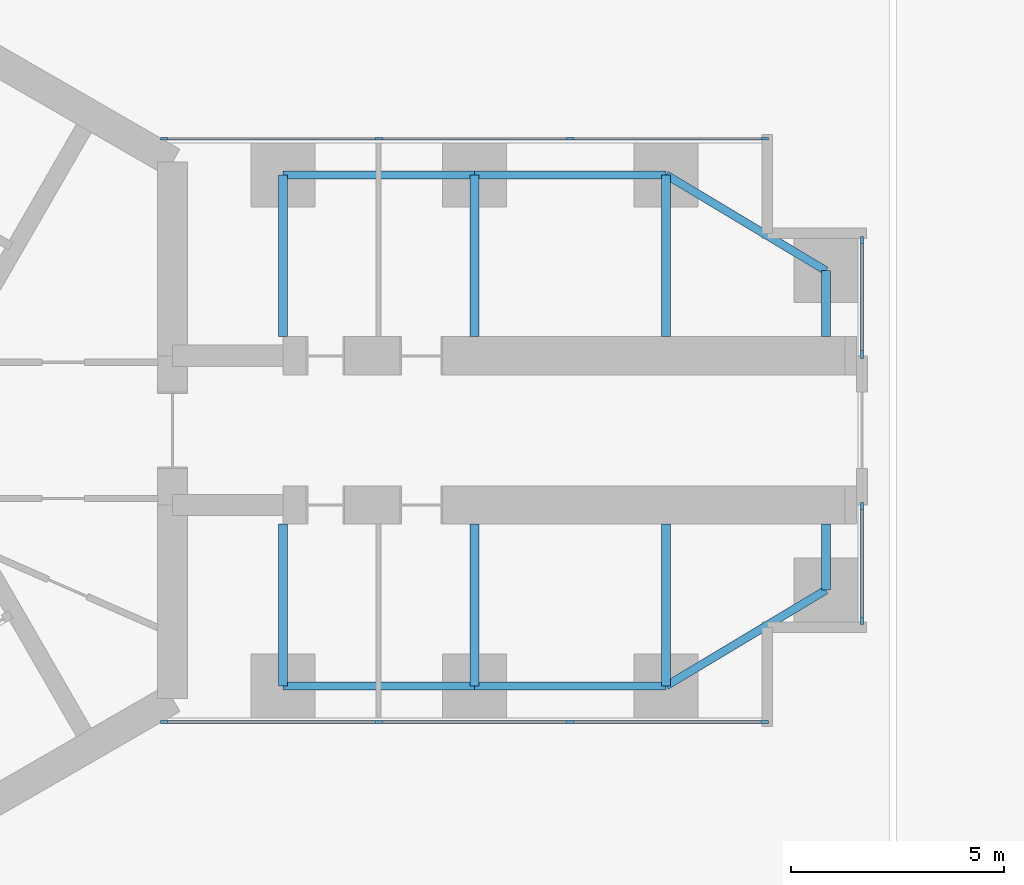
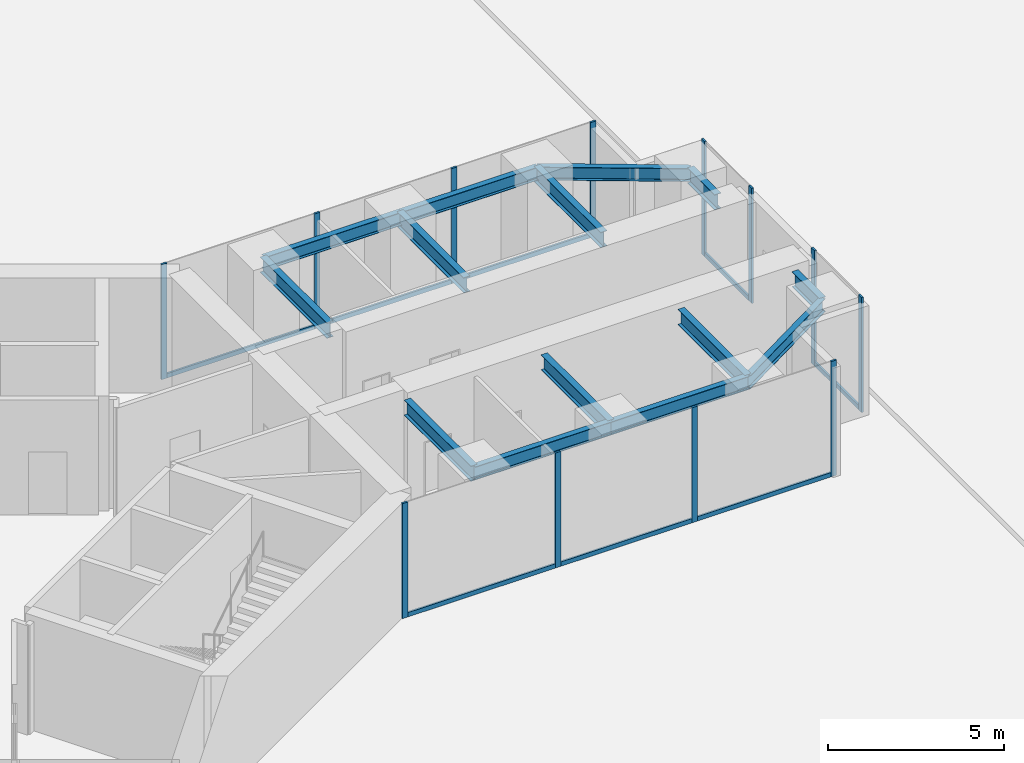
# One storey, part 5 of 23: 20 members, 14 beams, 4 elements without a shape of their own.
"""IFC4 building model written with IfcOpenShell, lengths in metres."""

from ifc_helpers import new_model, si_unit, direction, frame, origin, origin_2d, place, context, subcontext, project, spatial, rectangle, i_section, extrude, material, material_profile, profile_set, type_object, element, aggregate, save


model = new_model("IFC4")

# Units and contexts
model_context = context("Model", 3, precision=1e-05, world=origin(), true_north=direction((0.0, 1.0)))
body_context = subcontext(model_context, "Body", "Model", "MODEL_VIEW")
ifc_project = project(units=[si_unit("LENGTHUNIT", "METRE"), si_unit("AREAUNIT", "SQUARE_METRE"), si_unit("VOLUMEUNIT", "CUBIC_METRE"), si_unit("PLANEANGLEUNIT", "RADIAN"), si_unit("MASSUNIT", "GRAM", prefix="KILO")], contexts=[model_context])

# Site, building, storey
site_placement = place(None, origin())
site = spatial("IfcSite", under=ifc_project, at=site_placement, CompositionType="ELEMENT")
building_placement = place(site_placement, origin())
building = spatial("IfcBuilding", under=site, at=building_placement, Name="Upepo Twin Towers", CompositionType="ELEMENT")
storey_placement = place(building_placement, frame((0.0, 0.0, 20.5)))
storey = spatial("IfcBuildingStorey", under=building, at=storey_placement, Name="L04", CompositionType="ELEMENT", Elevation=20.5)

# Beams
ifc_material_1 = material(Name="Steel S355", Category="steel")
ifc_material_profile_1 = material_profile(ifc_material_1, i_section(OverallWidth=0.1904296875, OverallDepth=0.45703125, WebThickness=0.009033203125, FlangeThickness=0.014404296875, FilletRadius=0.01025390625, at=origin_2d()), Name="UB 457x191x74")
ifc_profile_set_1 = profile_set([ifc_material_profile_1], Name="Steel S355")
beam_type_1 = type_object("IfcBeamType", Name="Beam UB 457x191x74", PredefinedType="BEAM", material=ifc_profile_set_1)
for number, where, z_axis, x_axis, name in (
    (1, (13.5, 6.0, 3.571533203125), (1.0, 0.0, 0.0), (0.0, 1.0, 0.0), "T1 edge beam AL 13.5-18.0"),
    (2, (18.0, 6.0, 3.571533203125), (1.0, 0.0, 0.0), (0.0, 1.0, 0.0), "T1 edge beam AL 18.0-22.5"),
):
    element("IfcBeam", number, at=place(storey_placement, frame(where, z_axis=z_axis, x_axis=x_axis)), inside=storey, type_object=beam_type_1, Name=name, PredefinedType="BEAM", context=body_context, shape_type="SweptSolid", body=[
        extrude(i_section(OverallWidth=0.1904296875, OverallDepth=0.45703125, WebThickness=0.009033203125, FlangeThickness=0.014404296875, FilletRadius=0.01025390625, at=origin_2d()), origin(), (0.0, 0.0, 1.0), 4.5),
    ])
beam_1_placement = place(storey_placement, frame((22.5, 6.0, 3.571533203125), z_axis=(0.857492925713, -0.514495755428, 0.0), x_axis=(0.514495755428, 0.857492925713, 0.0)))
element("IfcBeam", 3, at=beam_1_placement, inside=storey, type_object=beam_type_1, Name="T1 nose edge beam AL", PredefinedType="BEAM", context=body_context, shape_type="SweptSolid", body=[
    extrude(i_section(OverallWidth=0.1904296875, OverallDepth=0.45703125, WebThickness=0.009033203125, FlangeThickness=0.014404296875, FilletRadius=0.01025390625, at=origin_2d()), origin(), (0.0, 0.0, 1.0), 4.373291015625),
])
for number, where, z_axis, x_axis, name in (
    (4, (13.5, -6.0, 3.571533203125), (1.0, 0.0, 0.0), (0.0, 1.0, 0.0), "T1 edge beam AR 13.5-18.0"),
    (5, (18.0, -6.0, 3.571533203125), (1.0, 0.0, 0.0), (0.0, 1.0, 0.0), "T1 edge beam AR 18.0-22.5"),
):
    element("IfcBeam", number, at=place(storey_placement, frame(where, z_axis=z_axis, x_axis=x_axis)), inside=storey, type_object=beam_type_1, Name=name, PredefinedType="BEAM", context=body_context, shape_type="SweptSolid", body=[
        extrude(i_section(OverallWidth=0.1904296875, OverallDepth=0.45703125, WebThickness=0.009033203125, FlangeThickness=0.014404296875, FilletRadius=0.01025390625, at=origin_2d()), origin(), (0.0, 0.0, 1.0), 4.5),
    ])
beam_2_placement = place(storey_placement, frame((22.5, -6.0, 3.571533203125), z_axis=(0.857492925713, 0.514495755428, 0.0), x_axis=(-0.514495755428, 0.857492925713, 0.0)))
element("IfcBeam", 6, at=beam_2_placement, inside=storey, type_object=beam_type_1, Name="T1 nose edge beam AR", PredefinedType="BEAM", context=body_context, shape_type="SweptSolid", body=[
    extrude(i_section(OverallWidth=0.1904296875, OverallDepth=0.45703125, WebThickness=0.009033203125, FlangeThickness=0.014404296875, FilletRadius=0.01025390625, at=origin_2d()), origin(), (0.0, 0.0, 1.0), 4.373291015625),
])
ifc_material_2 = material(Name="Steel S355", Category="steel")
ifc_material_profile_2 = material_profile(ifc_material_2, i_section(OverallWidth=0.2099609375, OverallDepth=0.53662109375, WebThickness=0.0107421875, FlangeThickness=0.017333984375, FilletRadius=0.0126953125, at=origin_2d()), Name="UB 533x210x101")
ifc_profile_set_2 = profile_set([ifc_material_profile_2], Name="Steel S355")
beam_type_2 = type_object("IfcBeamType", Name="Beam UB 533x210x101", PredefinedType="BEAM", material=ifc_profile_set_2)
for number, where, z_axis, x_axis, name in (
    (7, (26.25, 3.75, 3.53173828125), (0.0, -1.0, 0.0), (1.0, 0.0, 0.0), "T1 nose beam AL"),
    (8, (26.25, -3.75, 3.53173828125), (0.0, 1.0, 0.0), (-1.0, 0.0, 0.0), "T1 nose beam AR"),
):
    element("IfcBeam", number, at=place(storey_placement, frame(where, z_axis=z_axis, x_axis=x_axis)), inside=storey, type_object=beam_type_2, Name=name, PredefinedType="BEAM", context=body_context, shape_type="SweptSolid", body=[
        extrude(i_section(OverallWidth=0.2099609375, OverallDepth=0.53662109375, WebThickness=0.0107421875, FlangeThickness=0.017333984375, FilletRadius=0.0126953125, at=origin_2d()), origin(), (0.0, 0.0, 1.0), 1.550048828125),
    ])
ifc_material_3 = material(Name="Steel S355", Category="steel")
ifc_material_profile_3 = material_profile(ifc_material_3, i_section(OverallWidth=0.209228515625, OverallDepth=0.533203125, WebThickness=0.010009765625, FlangeThickness=0.015625, FilletRadius=0.0126953125, at=origin_2d()), Name="UB 533x210x92")
ifc_profile_set_3 = profile_set([ifc_material_profile_3], Name="Steel S355")
beam_type_3 = type_object("IfcBeamType", Name="Beam UB 533x210x92", PredefinedType="BEAM", material=ifc_profile_set_3)
for number, where, z_axis, x_axis, name in (
    (9, (13.5, 6.0, 3.533447265625), (0.0, -1.0, 0.0), (1.0, 0.0, 0.0), "T1 girder AL at 13.5"),
    (10, (18.0, 6.0, 3.533447265625), (0.0, -1.0, 0.0), (1.0, 0.0, 0.0), "T1 girder AL at 18.0"),
    (11, (22.5, 6.0, 3.533447265625), (0.0, -1.0, 0.0), (1.0, 0.0, 0.0), "T1 girder AL at 22.5"),
    (12, (13.5, -6.0, 3.533447265625), (0.0, 1.0, 0.0), (-1.0, 0.0, 0.0), "T1 girder AR at 13.5"),
    (13, (18.0, -6.0, 3.533447265625), (0.0, 1.0, 0.0), (-1.0, 0.0, 0.0), "T1 girder AR at 18.0"),
    (14, (22.5, -6.0, 3.533447265625), (0.0, 1.0, 0.0), (-1.0, 0.0, 0.0), "T1 girder AR at 22.5"),
):
    element("IfcBeam", number, at=place(storey_placement, frame(where, z_axis=z_axis, x_axis=x_axis)), inside=storey, type_object=beam_type_3, Name=name, PredefinedType="BEAM", context=body_context, shape_type="SweptSolid", body=[
        extrude(i_section(OverallWidth=0.209228515625, OverallDepth=0.533203125, WebThickness=0.010009765625, FlangeThickness=0.015625, FilletRadius=0.0126953125, at=origin_2d()), origin(), (0.0, 0.0, 1.0), 3.800048828125),
    ])

# Curtain wall, members
ifc_material_4 = material(Name="Aluminium and fritted glass", Category="aluminium")
curtain_wall_type = type_object("IfcCurtainWallType", Name="Tower curtain wall TW1, fritted glass", PredefinedType="NOTDEFINED", material=ifc_material_4)
curtain_wall_1_placement = place(storey_placement, origin())
curtain_wall_1 = element("IfcCurtainWall", 15, at=curtain_wall_1_placement, inside=storey, type_object=curtain_wall_type, Name="T1 L04 wing A flank L curtain wall", PredefinedType="NOTDEFINED")
ifc_material_5 = material(Name="Aluminium mullion", Category="aluminium")
ifc_material_profile_4 = material_profile(ifc_material_5, rectangle(XDim=0.06494140625, YDim=0.179931640625, at=origin_2d()), Name="MULLION 65x180")
ifc_profile_set_4 = profile_set([ifc_material_profile_4], Name="Aluminium mullion")
member_type_1 = type_object("IfcMemberType", Name="Mullion 65x180 TW1", PredefinedType="MULLION", material=ifc_profile_set_4)
member_1_placement = place(storey_placement, frame((10.7197265625, 6.85009765625, 0.0), z_axis=(0.0, 0.0, 1.0), x_axis=(0.0, 1.0, 0.0)))
member_1 = element("IfcMember", 16, at=member_1_placement, type_object=member_type_1, Name="T1 L04 wing A flank L curtain wall mullion 1", PredefinedType="MULLION", context=body_context, shape_type="SweptSolid", body=[
    extrude(rectangle(XDim=0.06494140625, YDim=0.179931640625, at=origin_2d()), origin(), (0.0, 0.0, 1.0), 4.0),
])
member_2_placement = place(storey_placement, frame((15.75, 6.85009765625, 0.0), z_axis=(0.0, 0.0, 1.0), x_axis=(0.0, 1.0, 0.0)))
member_2 = element("IfcMember", 17, at=member_2_placement, type_object=member_type_1, Name="T1 L04 wing A flank L curtain wall mullion 2", PredefinedType="MULLION", context=body_context, shape_type="SweptSolid", body=[
    extrude(rectangle(XDim=0.06494140625, YDim=0.179931640625, at=origin_2d()), origin(), (0.0, 0.0, 1.0), 4.0),
])
member_3_placement = place(storey_placement, frame((20.25, 6.85009765625, 0.0), z_axis=(0.0, 0.0, 1.0), x_axis=(0.0, 1.0, 0.0)))
member_3 = element("IfcMember", 18, at=member_3_placement, type_object=member_type_1, Name="T1 L04 wing A flank L curtain wall mullion 3", PredefinedType="MULLION", context=body_context, shape_type="SweptSolid", body=[
    extrude(rectangle(XDim=0.06494140625, YDim=0.179931640625, at=origin_2d()), origin(), (0.0, 0.0, 1.0), 4.0),
])
member_4_placement = place(storey_placement, frame((24.8173828125, 6.85009765625, 0.0), z_axis=(0.0, 0.0, 1.0), x_axis=(0.0, 1.0, 0.0)))
member_4 = element("IfcMember", 19, at=member_4_placement, type_object=member_type_1, Name="T1 L04 wing A flank L curtain wall mullion 4", PredefinedType="MULLION", context=body_context, shape_type="SweptSolid", body=[
    extrude(rectangle(XDim=0.06494140625, YDim=0.179931640625, at=origin_2d()), origin(), (0.0, 0.0, 1.0), 4.0),
])

curtain_wall_2_placement = place(storey_placement, origin())
curtain_wall_2 = element("IfcCurtainWall", 20, at=curtain_wall_2_placement, inside=storey, type_object=curtain_wall_type, Name="T1 L04 wing A flank R curtain wall", PredefinedType="NOTDEFINED")
member_5_placement = place(storey_placement, frame((24.8173828125, -6.85009765625, 0.0), z_axis=(0.0, 0.0, 1.0), x_axis=(0.0, -1.0, 0.0)))
member_5 = element("IfcMember", 21, at=member_5_placement, type_object=member_type_1, Name="T1 L04 wing A flank R curtain wall mullion 1", PredefinedType="MULLION", context=body_context, shape_type="SweptSolid", body=[
    extrude(rectangle(XDim=0.06494140625, YDim=0.179931640625, at=origin_2d()), origin(), (0.0, 0.0, 1.0), 4.0),
])
member_6_placement = place(storey_placement, frame((20.25, -6.85009765625, 0.0), z_axis=(0.0, 0.0, 1.0), x_axis=(0.0, -1.0, 0.0)))
member_6 = element("IfcMember", 22, at=member_6_placement, type_object=member_type_1, Name="T1 L04 wing A flank R curtain wall mullion 2", PredefinedType="MULLION", context=body_context, shape_type="SweptSolid", body=[
    extrude(rectangle(XDim=0.06494140625, YDim=0.179931640625, at=origin_2d()), origin(), (0.0, 0.0, 1.0), 4.0),
])
member_7_placement = place(storey_placement, frame((15.75, -6.85009765625, 0.0), z_axis=(0.0, 0.0, 1.0), x_axis=(0.0, -1.0, 0.0)))
member_7 = element("IfcMember", 23, at=member_7_placement, type_object=member_type_1, Name="T1 L04 wing A flank R curtain wall mullion 3", PredefinedType="MULLION", context=body_context, shape_type="SweptSolid", body=[
    extrude(rectangle(XDim=0.06494140625, YDim=0.179931640625, at=origin_2d()), origin(), (0.0, 0.0, 1.0), 4.0),
])
member_8_placement = place(storey_placement, frame((10.7197265625, -6.85009765625, 0.0), z_axis=(0.0, 0.0, 1.0), x_axis=(0.0, -1.0, 0.0)))
member_8 = element("IfcMember", 24, at=member_8_placement, type_object=member_type_1, Name="T1 L04 wing A flank R curtain wall mullion 4", PredefinedType="MULLION", context=body_context, shape_type="SweptSolid", body=[
    extrude(rectangle(XDim=0.06494140625, YDim=0.179931640625, at=origin_2d()), origin(), (0.0, 0.0, 1.0), 4.0),
])

curtain_wall_3_placement = place(storey_placement, origin())
curtain_wall_3 = element("IfcCurtainWall", 25, at=curtain_wall_3_placement, inside=storey, type_object=curtain_wall_type, Name="T1 L04 wing A nose curtain wall 0", PredefinedType="NOTDEFINED")
member_9_placement = place(storey_placement, frame((27.10009765625, -4.467529296875, 0.0), z_axis=(0.0, 0.0, 1.0), x_axis=(-1.0, 0.0, 0.0)))
member_9 = element("IfcMember", 26, at=member_9_placement, type_object=member_type_1, Name="T1 L04 wing A nose curtain wall 0 mullion 1", PredefinedType="MULLION", context=body_context, shape_type="SweptSolid", body=[
    extrude(rectangle(XDim=0.06494140625, YDim=0.179931640625, at=origin_2d()), origin(), (0.0, 0.0, 1.0), 4.0),
])
member_10_placement = place(storey_placement, frame((27.10009765625, -1.782470703125, 0.0), z_axis=(0.0, 0.0, 1.0), x_axis=(-1.0, 0.0, 0.0)))
member_10 = element("IfcMember", 27, at=member_10_placement, type_object=member_type_1, Name="T1 L04 wing A nose curtain wall 0 mullion 2", PredefinedType="MULLION", context=body_context, shape_type="SweptSolid", body=[
    extrude(rectangle(XDim=0.06494140625, YDim=0.179931640625, at=origin_2d()), origin(), (0.0, 0.0, 1.0), 4.0),
])

curtain_wall_4_placement = place(storey_placement, origin())
curtain_wall_4 = element("IfcCurtainWall", 28, at=curtain_wall_4_placement, inside=storey, type_object=curtain_wall_type, Name="T1 L04 wing A nose curtain wall 2", PredefinedType="NOTDEFINED")
member_11_placement = place(storey_placement, frame((27.10009765625, 1.782470703125, 0.0), z_axis=(0.0, 0.0, 1.0), x_axis=(-1.0, 0.0, 0.0)))
member_11 = element("IfcMember", 29, at=member_11_placement, type_object=member_type_1, Name="T1 L04 wing A nose curtain wall 2 mullion 1", PredefinedType="MULLION", context=body_context, shape_type="SweptSolid", body=[
    extrude(rectangle(XDim=0.06494140625, YDim=0.179931640625, at=origin_2d()), origin(), (0.0, 0.0, 1.0), 4.0),
])
member_12_placement = place(storey_placement, frame((27.10009765625, 4.467529296875, 0.0), z_axis=(0.0, 0.0, 1.0), x_axis=(-1.0, 0.0, 0.0)))
member_12 = element("IfcMember", 30, at=member_12_placement, type_object=member_type_1, Name="T1 L04 wing A nose curtain wall 2 mullion 2", PredefinedType="MULLION", context=body_context, shape_type="SweptSolid", body=[
    extrude(rectangle(XDim=0.06494140625, YDim=0.179931640625, at=origin_2d()), origin(), (0.0, 0.0, 1.0), 4.0),
])

# Member
ifc_material_6 = material(Name="Aluminium transom", Category="aluminium")
ifc_material_profile_5 = material_profile(ifc_material_6, rectangle(XDim=0.06494140625, YDim=0.14990234375, at=origin_2d()), Name="TRANSOM 65x150")
ifc_profile_set_5 = profile_set([ifc_material_profile_5], Name="Aluminium transom")
member_type_2 = type_object("IfcMemberType", Name="Transom 65x150 TW1", PredefinedType="USERDEFINED", material=ifc_profile_set_5)
member_13_placement = place(storey_placement, frame((10.752197265625, 6.85009765625, 0.074951171875), z_axis=(1.0, 0.0, 0.0), x_axis=(0.0, 1.0, 0.0)))
member_13 = element("IfcMember", 31, at=member_13_placement, type_object=member_type_2, Name="T1 L04 wing A flank L curtain wall transom 1", ObjectType="TRANSOM", PredefinedType="USERDEFINED", context=body_context, shape_type="SweptSolid", body=[
    extrude(rectangle(XDim=0.06494140625, YDim=0.14990234375, at=origin_2d()), origin(), (0.0, 0.0, 1.0), 4.96533203125),
])

member_14_placement = place(storey_placement, frame((15.782470703125, 6.85009765625, 0.074951171875), z_axis=(1.0, 0.0, 0.0), x_axis=(0.0, 1.0, 0.0)))
member_14 = element("IfcMember", 32, at=member_14_placement, type_object=member_type_2, Name="T1 L04 wing A flank L curtain wall transom 2", ObjectType="TRANSOM", PredefinedType="USERDEFINED", context=body_context, shape_type="SweptSolid", body=[
    extrude(rectangle(XDim=0.06494140625, YDim=0.14990234375, at=origin_2d()), origin(), (0.0, 0.0, 1.0), 4.43505859375),
])

member_15_placement = place(storey_placement, frame((20.282470703125, 6.85009765625, 0.074951171875), z_axis=(1.0, 0.0, 0.0), x_axis=(0.0, 1.0, 0.0)))
member_15 = element("IfcMember", 33, at=member_15_placement, type_object=member_type_2, Name="T1 L04 wing A flank L curtain wall transom 3", ObjectType="TRANSOM", PredefinedType="USERDEFINED", context=body_context, shape_type="SweptSolid", body=[
    extrude(rectangle(XDim=0.06494140625, YDim=0.14990234375, at=origin_2d()), origin(), (0.0, 0.0, 1.0), 4.50244140625),
])

aggregate(curtain_wall_1, [member_1, member_2, member_3, member_4, member_13, member_14, member_15])

member_16_placement = place(storey_placement, frame((24.784912109375, -6.85009765625, 0.074951171875), z_axis=(-1.0, 0.0, 0.0), x_axis=(0.0, -1.0, 0.0)))
member_16 = element("IfcMember", 34, at=member_16_placement, type_object=member_type_2, Name="T1 L04 wing A flank R curtain wall transom 1", ObjectType="TRANSOM", PredefinedType="USERDEFINED", context=body_context, shape_type="SweptSolid", body=[
    extrude(rectangle(XDim=0.06494140625, YDim=0.14990234375, at=origin_2d()), origin(), (0.0, 0.0, 1.0), 4.50244140625),
])

member_17_placement = place(storey_placement, frame((20.217529296875, -6.85009765625, 0.074951171875), z_axis=(-1.0, 0.0, 0.0), x_axis=(0.0, -1.0, 0.0)))
member_17 = element("IfcMember", 35, at=member_17_placement, type_object=member_type_2, Name="T1 L04 wing A flank R curtain wall transom 2", ObjectType="TRANSOM", PredefinedType="USERDEFINED", context=body_context, shape_type="SweptSolid", body=[
    extrude(rectangle(XDim=0.06494140625, YDim=0.14990234375, at=origin_2d()), origin(), (0.0, 0.0, 1.0), 4.43505859375),
])

member_18_placement = place(storey_placement, frame((15.717529296875, -6.85009765625, 0.074951171875), z_axis=(-1.0, 0.0, 0.0), x_axis=(0.0, -1.0, 0.0)))
member_18 = element("IfcMember", 36, at=member_18_placement, type_object=member_type_2, Name="T1 L04 wing A flank R curtain wall transom 3", ObjectType="TRANSOM", PredefinedType="USERDEFINED", context=body_context, shape_type="SweptSolid", body=[
    extrude(rectangle(XDim=0.06494140625, YDim=0.14990234375, at=origin_2d()), origin(), (0.0, 0.0, 1.0), 4.96533203125),
])

aggregate(curtain_wall_2, [member_5, member_6, member_7, member_8, member_16, member_17, member_18])

member_19_placement = place(storey_placement, frame((27.10009765625, -4.43505859375, 0.074951171875), z_axis=(0.0, 1.0, 0.0), x_axis=(-1.0, 0.0, 0.0)))
member_19 = element("IfcMember", 37, at=member_19_placement, type_object=member_type_2, Name="T1 L04 wing A nose curtain wall 0 transom 1", ObjectType="TRANSOM", PredefinedType="USERDEFINED", context=body_context, shape_type="SweptSolid", body=[
    extrude(rectangle(XDim=0.06494140625, YDim=0.14990234375, at=origin_2d()), origin(), (0.0, 0.0, 1.0), 2.6201171875),
])

aggregate(curtain_wall_3, [member_9, member_10, member_19])

member_20_placement = place(storey_placement, frame((27.10009765625, 1.81494140625, 0.074951171875), z_axis=(0.0, 1.0, 0.0), x_axis=(-1.0, 0.0, 0.0)))
member_20 = element("IfcMember", 38, at=member_20_placement, type_object=member_type_2, Name="T1 L04 wing A nose curtain wall 2 transom 1", ObjectType="TRANSOM", PredefinedType="USERDEFINED", context=body_context, shape_type="SweptSolid", body=[
    extrude(rectangle(XDim=0.06494140625, YDim=0.14990234375, at=origin_2d()), origin(), (0.0, 0.0, 1.0), 2.6201171875),
])

aggregate(curtain_wall_4, [member_11, member_12, member_20])

save(model, "model.ifc")
